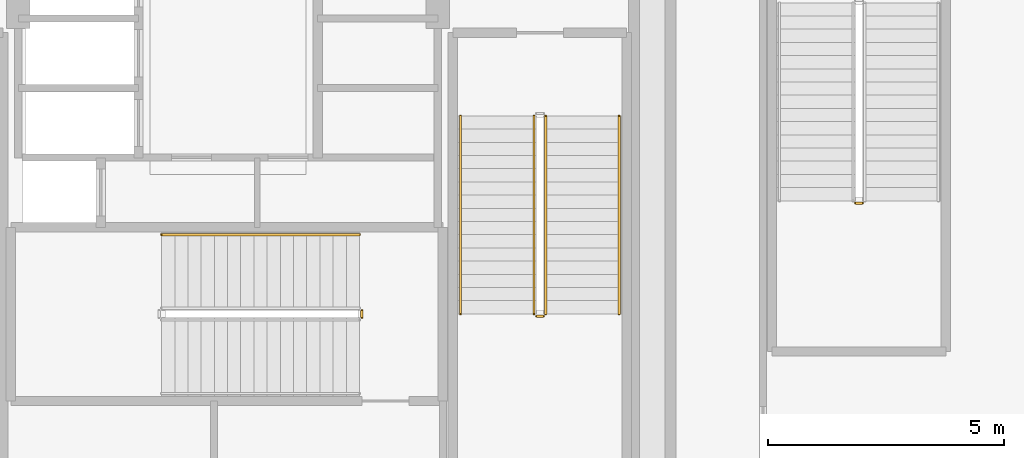
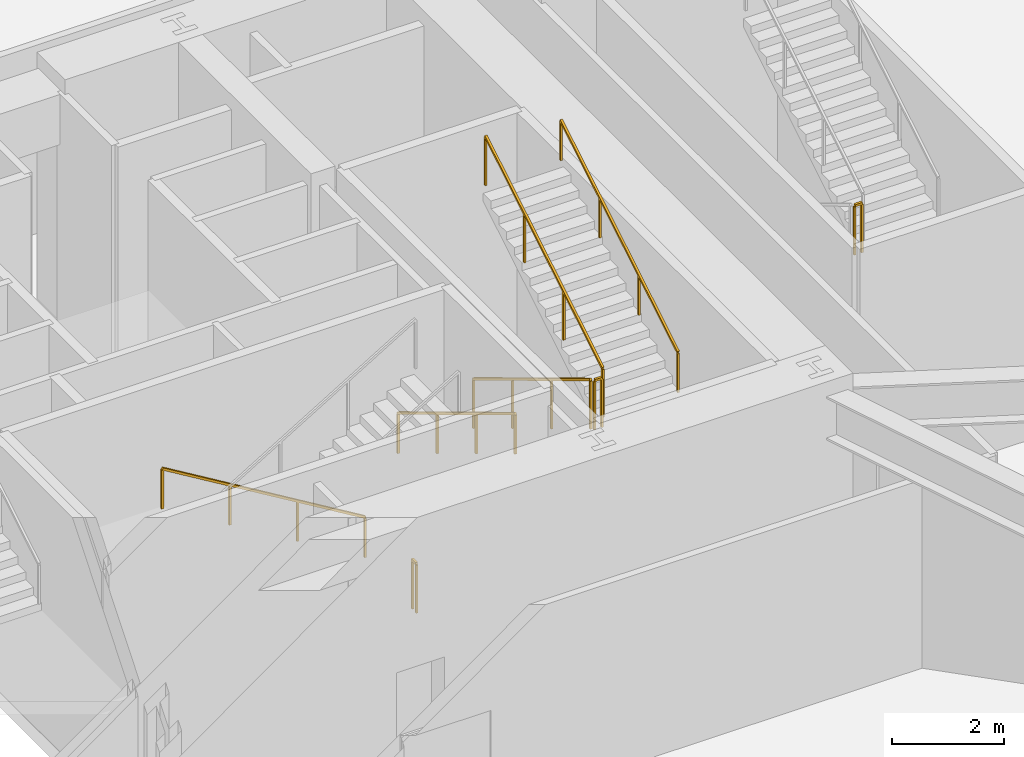
# One storey, part 32 of 34: 8 railings.
"""IFC4 building model written with IfcOpenShell, lengths in metres."""

from ifc_helpers import new_model, si_unit, direction, frame, origin, origin_2d, place, context, subcontext, project, spatial, rectangle, extrude, material, layer, layer_set, type_object, element, save


model = new_model("IFC4")

# Units and contexts
model_context = context("Model", 3, precision=1e-05, world=origin(), true_north=direction((0.0, 1.0)))
body_context = subcontext(model_context, "Body", "Model", "MODEL_VIEW")
ifc_project = project(units=[si_unit("LENGTHUNIT", "METRE"), si_unit("AREAUNIT", "SQUARE_METRE"), si_unit("VOLUMEUNIT", "CUBIC_METRE"), si_unit("PLANEANGLEUNIT", "RADIAN"), si_unit("MASSUNIT", "GRAM", prefix="KILO")], contexts=[model_context])

# Site, building, storey
site_placement = place(None, origin())
site = spatial("IfcSite", under=ifc_project, at=site_placement, CompositionType="ELEMENT")
building_placement = place(site_placement, origin())
building = spatial("IfcBuilding", under=site, at=building_placement, Name="Kilnhurst Terrace Hotel", CompositionType="ELEMENT")
storey_placement = place(building_placement, frame((0.0, 0.0, 6.0)))
storey = spatial("IfcBuildingStorey", under=building, at=storey_placement, Name="L01", CompositionType="ELEMENT", Elevation=6.0)

# Railings
ifc_material_1 = material(Name="Powder-Coated Steel ASTM A500 Grade B", Category="steel")
ifc_layer_1 = layer(ifc_material_1, 0.050048828125, Name="Powder-Coated Steel ASTM A500 Grade B")
ifc_layer_set_1 = layer_set([ifc_layer_1], Name="Powder-Coated Steel ASTM A500 Grade B")
railing_type_1 = type_object("IfcRailingType", Name="RLG-ST-GRD-1100", PredefinedType="GUARDRAIL", material=ifc_layer_set_1)
railing_1_placement = place(storey_placement, frame((6.489990234375, 0.389892578125, 0.168701171875)))
element("IfcRailing", 1, at=railing_1_placement, inside=storey, type_object=railing_type_1, Name="L01 ST-2 stair guard 1", PredefinedType="GUARDRAIL", context=body_context, shape_type="SweptSolid", body=[
    extrude(rectangle(XDim=0.048095703125, YDim=0.048095703125, at=origin_2d()), frame((0.0, 0.0, 1.076171875), z_axis=(0.0, -0.856476492594, 0.516186030065), x_axis=(1.0, 0.0, 0.0)), (0.0, 0.0, 1.0), 4.90380859375),
    extrude(rectangle(XDim=0.0419921875, YDim=0.0419921875, at=origin_2d()), origin(), (0.0, 0.0, 1.0), 1.052001953125),
    extrude(rectangle(XDim=0.0419921875, YDim=0.0419921875, at=origin_2d()), frame((0.0, -1.39990234375, 0.84375)), (0.0, 0.0, 1.0), 1.052001953125),
    extrude(rectangle(XDim=0.0419921875, YDim=0.0419921875, at=origin_2d()), frame((0.0, -2.800048828125, 1.6875)), (0.0, 0.0, 1.0), 1.052001953125),
    extrude(rectangle(XDim=0.0419921875, YDim=0.0419921875, at=origin_2d()), frame((0.0, -4.199951171875, 2.53125)), (0.0, 0.0, 1.0), 1.052001953125),
])
railing_2_placement = place(storey_placement, frame((6.5400390625, -3.860107421875, 2.699951171875)))
element("IfcRailing", 2, at=railing_2_placement, inside=storey, type_object=railing_type_1, Name="L01 ST-2 stair guard 2", PredefinedType="GUARDRAIL", context=body_context, shape_type="SweptSolid", body=[
    extrude(rectangle(XDim=0.048095703125, YDim=0.048095703125, at=origin_2d()), frame((0.0, 0.0, 1.076171875), z_axis=(1.0, 0.0, 0.0), x_axis=(0.0, 1.0, 0.0)), (0.0, 0.0, 1.0), 0.14990234375),
    extrude(rectangle(XDim=0.0419921875, YDim=0.0419921875, at=origin_2d()), origin(), (0.0, 0.0, 1.0), 1.052001953125),
    extrude(rectangle(XDim=0.0419921875, YDim=0.0419921875, at=origin_2d()), frame((0.14990234375, 0.0, 0.0)), (0.0, 0.0, 1.0), 1.052001953125),
])
railing_3_placement = place(storey_placement, frame((6.739990234375, -3.81005859375, 2.86865234375)))
element("IfcRailing", 3, at=railing_3_placement, inside=storey, type_object=railing_type_1, Name="L01 ST-2 stair guard 3", PredefinedType="GUARDRAIL", context=body_context, shape_type="SweptSolid", body=[
    extrude(rectangle(XDim=0.048095703125, YDim=0.048095703125, at=origin_2d()), frame((0.0, 0.0, 1.076171875), z_axis=(0.0, 0.856476492594, 0.516186030065), x_axis=(-1.0, 0.0, 0.0)), (0.0, 0.0, 1.0), 4.90380859375),
    extrude(rectangle(XDim=0.0419921875, YDim=0.0419921875, at=origin_2d()), origin(), (0.0, 0.0, 1.0), 1.052001953125),
    extrude(rectangle(XDim=0.0419921875, YDim=0.0419921875, at=origin_2d()), frame((0.0, 1.39990234375, 0.84375)), (0.0, 0.0, 1.0), 1.052001953125),
    extrude(rectangle(XDim=0.0419921875, YDim=0.0419921875, at=origin_2d()), frame((0.0, 2.800048828125, 1.6875)), (0.0, 0.0, 1.0), 1.052001953125),
    extrude(rectangle(XDim=0.0419921875, YDim=0.0419921875, at=origin_2d()), frame((0.0, 4.199951171875, 2.53125)), (0.0, 0.0, 1.0), 1.052001953125),
])
railing_4_placement = place(storey_placement, frame((2.840087890625, -3.739990234375, 0.0)))
element("IfcRailing", 4, at=railing_4_placement, inside=storey, type_object=railing_type_1, Name="L01 ST-3 stair guard 4", PredefinedType="GUARDRAIL", context=body_context, shape_type="SweptSolid", body=[
    extrude(rectangle(XDim=0.048095703125, YDim=0.048095703125, at=origin_2d()), frame((0.0, 0.0, 1.076171875), z_axis=(0.0, -1.0, 0.0), x_axis=(1.0, 0.0, 0.0)), (0.0, 0.0, 1.0), 0.14990234375),
    extrude(rectangle(XDim=0.0419921875, YDim=0.0419921875, at=origin_2d()), origin(), (0.0, 0.0, 1.0), 1.052001953125),
    extrude(rectangle(XDim=0.0419921875, YDim=0.0419921875, at=origin_2d()), frame((0.0, -0.14990234375, 0.0)), (0.0, 0.0, 1.0), 1.052001953125),
])
railing_5_placement = place(storey_placement, frame((13.31005859375, -1.4599609375, 2.699951171875)))
element("IfcRailing", 5, at=railing_5_placement, inside=storey, type_object=railing_type_1, Name="L01 ST-4 stair guard 2", PredefinedType="GUARDRAIL", context=body_context, shape_type="SweptSolid", body=[
    extrude(rectangle(XDim=0.048095703125, YDim=0.048095703125, at=origin_2d()), frame((0.0, 0.0, 1.076171875), z_axis=(1.0, 0.0, 0.0), x_axis=(0.0, 1.0, 0.0)), (0.0, 0.0, 1.0), 0.14990234375),
    extrude(rectangle(XDim=0.0419921875, YDim=0.0419921875, at=origin_2d()), origin(), (0.0, 0.0, 1.0), 1.052001953125),
    extrude(rectangle(XDim=0.0419921875, YDim=0.0419921875, at=origin_2d()), frame((0.14990234375, 0.0, 0.0)), (0.0, 0.0, 1.0), 1.052001953125),
])
ifc_material_2 = material(Name="Brushed Stainless Steel AISI 304", Category="steel")
ifc_layer_2 = layer(ifc_material_2, 0.048095703125, Name="Brushed Stainless Steel AISI 304")
ifc_layer_set_2 = layer_set([ifc_layer_2], Name="Brushed Stainless Steel AISI 304")
railing_type_2 = type_object("IfcRailingType", Name="RLG-ST-HRL-900", PredefinedType="HANDRAIL", material=ifc_layer_set_2)
railing_6_placement = place(storey_placement, frame((4.929931640625, 0.389892578125, 0.168701171875)))
element("IfcRailing", 6, at=railing_6_placement, inside=storey, type_object=railing_type_2, Name="L01 ST-2 stair handrail 1", PredefinedType="HANDRAIL", context=body_context, shape_type="SweptSolid", body=[
    extrude(rectangle(XDim=0.048095703125, YDim=0.048095703125, at=origin_2d()), frame((0.0, 0.0, 0.8759765625), z_axis=(0.0, -0.856476492594, 0.516186030065), x_axis=(1.0, 0.0, 0.0)), (0.0, 0.0, 1.0), 4.90380859375),
    extrude(rectangle(XDim=0.0419921875, YDim=0.0419921875, at=origin_2d()), origin(), (0.0, 0.0, 1.0), 0.851806640625),
    extrude(rectangle(XDim=0.0419921875, YDim=0.0419921875, at=origin_2d()), frame((0.0, -1.39990234375, 0.84375)), (0.0, 0.0, 1.0), 0.851806640625),
    extrude(rectangle(XDim=0.0419921875, YDim=0.0419921875, at=origin_2d()), frame((0.0, -2.800048828125, 1.6875)), (0.0, 0.0, 1.0), 0.851806640625),
    extrude(rectangle(XDim=0.0419921875, YDim=0.0419921875, at=origin_2d()), frame((0.0, -4.199951171875, 2.53125)), (0.0, 0.0, 1.0), 0.851806640625),
])
railing_7_placement = place(storey_placement, frame((8.300048828125, -3.81005859375, 2.86865234375)))
element("IfcRailing", 7, at=railing_7_placement, inside=storey, type_object=railing_type_2, Name="L01 ST-2 stair handrail 2", PredefinedType="HANDRAIL", context=body_context, shape_type="SweptSolid", body=[
    extrude(rectangle(XDim=0.048095703125, YDim=0.048095703125, at=origin_2d()), frame((0.0, 0.0, 0.8759765625), z_axis=(0.0, 0.856476492594, 0.516186030065), x_axis=(-1.0, 0.0, 0.0)), (0.0, 0.0, 1.0), 4.90380859375),
    extrude(rectangle(XDim=0.0419921875, YDim=0.0419921875, at=origin_2d()), origin(), (0.0, 0.0, 1.0), 0.851806640625),
    extrude(rectangle(XDim=0.0419921875, YDim=0.0419921875, at=origin_2d()), frame((0.0, 1.39990234375, 0.84375)), (0.0, 0.0, 1.0), 0.851806640625),
    extrude(rectangle(XDim=0.0419921875, YDim=0.0419921875, at=origin_2d()), frame((0.0, 2.800048828125, 1.6875)), (0.0, 0.0, 1.0), 0.851806640625),
    extrude(rectangle(XDim=0.0419921875, YDim=0.0419921875, at=origin_2d()), frame((0.0, 4.199951171875, 2.53125)), (0.0, 0.0, 1.0), 0.851806640625),
])
railing_8_placement = place(storey_placement, frame((2.7900390625, -2.1298828125, 0.168701171875)))
element("IfcRailing", 8, at=railing_8_placement, inside=storey, type_object=railing_type_2, Name="L01 ST-3 stair handrail 1", PredefinedType="HANDRAIL", context=body_context, shape_type="SweptSolid", body=[
    extrude(rectangle(XDim=0.048095703125, YDim=0.048095703125, at=origin_2d()), frame((0.0, 0.0, 0.8759765625), z_axis=(-0.856476492594, 0.0, 0.516186030065), x_axis=(0.0, -1.0, 0.0)), (0.0, 0.0, 1.0), 4.90380859375),
    extrude(rectangle(XDim=0.0419921875, YDim=0.0419921875, at=origin_2d()), origin(), (0.0, 0.0, 1.0), 0.851806640625),
    extrude(rectangle(XDim=0.0419921875, YDim=0.0419921875, at=origin_2d()), frame((-1.39990234375, 0.0, 0.84375)), (0.0, 0.0, 1.0), 0.851806640625),
    extrude(rectangle(XDim=0.0419921875, YDim=0.0419921875, at=origin_2d()), frame((-2.800048828125, 0.0, 1.6875)), (0.0, 0.0, 1.0), 0.851806640625),
    extrude(rectangle(XDim=0.0419921875, YDim=0.0419921875, at=origin_2d()), frame((-4.199951171875, 0.0, 2.53125)), (0.0, 0.0, 1.0), 0.851806640625),
])

save(model, "model.ifc")
